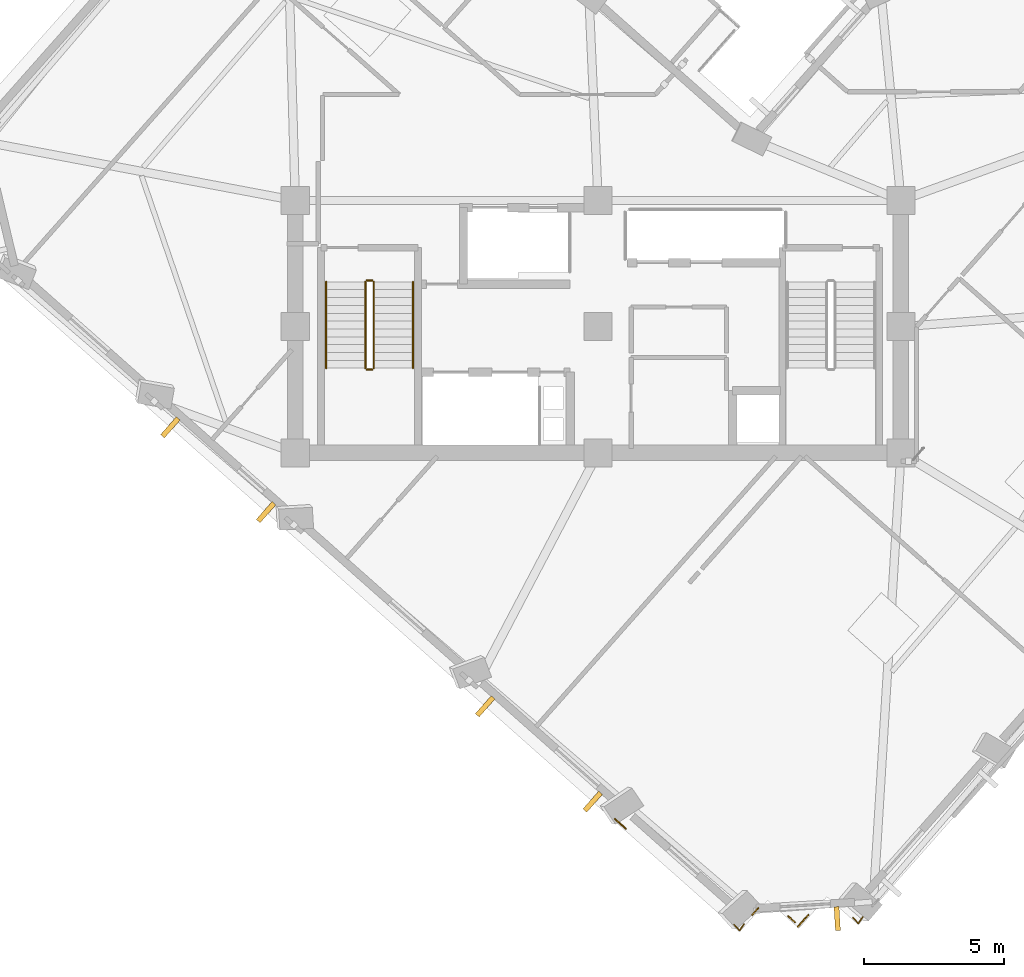
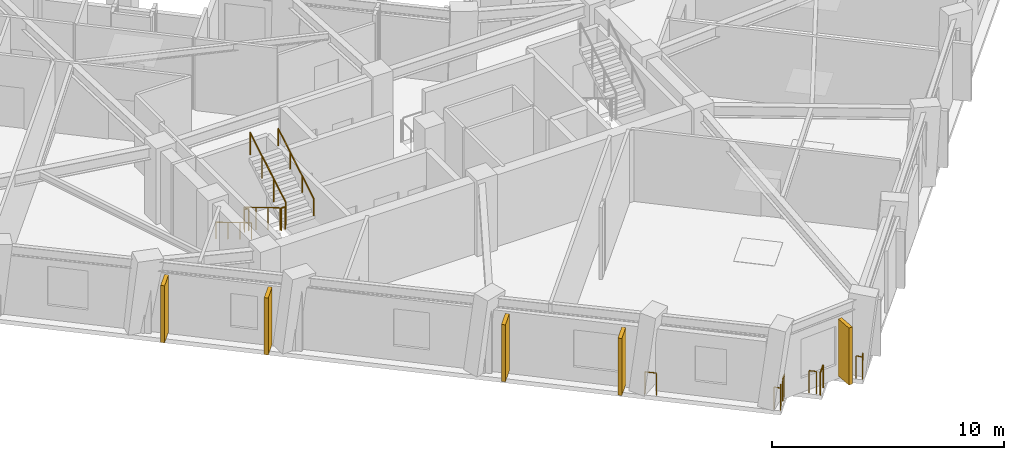
# One storey, part 10 of 13: 12 railings, 5 shading devices.
"""IFC4 building model written with IfcOpenShell, lengths in metres."""

from ifc_helpers import new_model, si_unit, direction, frame, origin, origin_2d, place, context, subcontext, project, spatial, rectangle, circle, extrude, material, layer, layer_set, type_object, element, save


model = new_model("IFC4")

# Units and contexts
model_context = context("Model", 3, precision=1e-05, world=origin(), true_north=direction((0.0, 1.0)))
body_context = subcontext(model_context, "Body", "Model", "MODEL_VIEW")
ifc_project = project(units=[si_unit("LENGTHUNIT", "METRE"), si_unit("AREAUNIT", "SQUARE_METRE"), si_unit("VOLUMEUNIT", "CUBIC_METRE"), si_unit("PLANEANGLEUNIT", "RADIAN"), si_unit("MASSUNIT", "GRAM", prefix="KILO")], contexts=[model_context])

# Site, building, storey
site_placement = place(None, origin())
site = spatial("IfcSite", under=ifc_project, at=site_placement, CompositionType="ELEMENT")
building_placement = place(site_placement, origin())
building = spatial("IfcBuilding", under=site, at=building_placement, Name="Gaonmaruhae Medical Tower", CompositionType="ELEMENT")
storey_placement = place(building_placement, frame((0.0, 0.0, 231.199951171875)))
storey = spatial("IfcBuildingStorey", under=building, at=storey_placement, Name="L55", CompositionType="ELEMENT", Elevation=231.199951171875)

# Railings
ifc_material_1 = material(Name="Stainless steel 316L and laminated safety glass", Category="steel")
ifc_layer = layer(ifc_material_1, 0.080078125)
ifc_layer_set = layer_set([ifc_layer], Name="Stainless steel 316L and laminated safety glass")
railing_type_1 = type_object("IfcRailingType", Name="GD-120 Outdoor Terrace Safety Glass & Steel Balustrade", PredefinedType="BALUSTRADE", material=ifc_layer_set)
railing_1_placement = place(storey_placement, frame((32.2958984375, -8.67919921875, 0.0)))
element("IfcRailing", 1, at=railing_1_placement, inside=storey, type_object=railing_type_1, Name="L55 Perimeter Slab Edge Safety Balustrade 04", PredefinedType="BALUSTRADE", context=body_context, shape_type="SweptSolid", body=[
    extrude(circle(Radius=0.02392578125, at=origin_2d()), frame((0.0, 0.0, 1.17578125), z_axis=(-0.663091084279, -0.748538719071, 0.0), x_axis=(0.748538719071, -0.663091084279, 0.0)), (0.0, 0.0, 1.0), 0.56005859375),
    extrude(circle(Radius=0.02099609375, at=origin_2d()), origin(), (0.0, 0.0, 1.0), 1.15185546875),
    extrude(circle(Radius=0.02099609375, at=origin_2d()), frame((-0.371337890625, -0.419189453125, 0.0)), (0.0, 0.0, 1.0), 1.15185546875),
])
railing_2_placement = place(storey_placement, frame((31.820556640625, -8.939208984375, 0.0)))
element("IfcRailing", 2, at=railing_2_placement, inside=storey, type_object=railing_type_1, Name="L55 Perimeter Slab Edge Safety Balustrade 05", PredefinedType="BALUSTRADE", context=body_context, shape_type="SweptSolid", body=[
    extrude(circle(Radius=0.02392578125, at=origin_2d()), frame((0.0, 0.0, 1.17578125), z_axis=(-0.748439717524, 0.663202826617, 0.0), x_axis=(-0.663202826617, -0.748439717524, 0.0)), (0.0, 0.0, 1.0), 0.326416015625),
    extrude(circle(Radius=0.02099609375, at=origin_2d()), origin(), (0.0, 0.0, 1.0), 1.15185546875),
    extrude(circle(Radius=0.02099609375, at=origin_2d()), frame((-0.244384765625, 0.216552734375, 0.0)), (0.0, 0.0, 1.0), 1.15185546875),
])
railing_3_placement = place(storey_placement, frame((30.510009765625, -8.4326171875, 0.0)))
element("IfcRailing", 3, at=railing_3_placement, inside=storey, type_object=railing_type_1, Name="L55 Perimeter Slab Edge Safety Balustrade 06", PredefinedType="BALUSTRADE", context=body_context, shape_type="SweptSolid", body=[
    extrude(circle(Radius=0.02392578125, at=origin_2d()), frame((0.0, 0.0, 1.17578125), z_axis=(-0.662831822887, -0.748768304997, 0.0), x_axis=(0.748768304997, -0.662831822887, 0.0)), (0.0, 0.0, 1.0), 0.32666015625),
    extrude(circle(Radius=0.02099609375, at=origin_2d()), origin(), (0.0, 0.0, 1.0), 1.15185546875),
    extrude(circle(Radius=0.02099609375, at=origin_2d()), frame((-0.216552734375, -0.24462890625, 0.0)), (0.0, 0.0, 1.0), 1.15185546875),
])
railing_4_placement = place(storey_placement, frame((25.787841796875, -5.596923828125, 0.0)))
element("IfcRailing", 4, at=railing_4_placement, inside=storey, type_object=railing_type_1, Name="L55 Perimeter Slab Edge Safety Balustrade 07", PredefinedType="BALUSTRADE", context=body_context, shape_type="SweptSolid", body=[
    extrude(circle(Radius=0.02392578125, at=origin_2d()), frame((0.0, 0.0, 1.17578125), z_axis=(-0.748394697722, 0.66325362903, 0.0), x_axis=(-0.66325362903, -0.748394697722, 0.0)), (0.0, 0.0, 1.0), 0.51904296875),
    extrude(circle(Radius=0.02099609375, at=origin_2d()), origin(), (0.0, 0.0, 1.0), 1.15185546875),
    extrude(circle(Radius=0.02099609375, at=origin_2d()), frame((-0.388427734375, 0.34423828125, 0.0)), (0.0, 0.0, 1.0), 1.15185546875),
])
railing_5_placement = place(storey_placement, frame((34.2412109375, -8.74609375, 0.0)))
element("IfcRailing", 5, at=railing_5_placement, inside=storey, type_object=railing_type_1, Name="L55 Perimeter Corner Safety Balustrade 10", PredefinedType="BALUSTRADE", context=body_context, shape_type="SweptSolid", body=[
    extrude(circle(Radius=0.02392578125, at=origin_2d()), frame((0.0, 0.0, 1.17578125), z_axis=(-0.567574104345, -0.823322316033, 0.0), x_axis=(0.823322316033, -0.567574104345, 0.0)), (0.0, 0.0, 1.0), 0.287353515625),
    extrude(circle(Radius=0.02392578125, at=origin_2d()), frame((-0.1630859375, -0.236572265625, 1.17578125), z_axis=(-0.661931117086, 0.749564671148, 0.0), x_axis=(-0.749564671148, -0.661931117086, 0.0)), (0.0, 0.0, 1.0), 0.286865234375),
    extrude(circle(Radius=0.02099609375, at=origin_2d()), origin(), (0.0, 0.0, 1.0), 1.15185546875),
    extrude(circle(Radius=0.02099609375, at=origin_2d()), frame((-0.1630859375, -0.236572265625, 0.0)), (0.0, 0.0, 1.0), 1.15185546875),
    extrude(circle(Radius=0.02099609375, at=origin_2d()), frame((-0.35302734375, -0.021484375, 0.0)), (0.0, 0.0, 1.0), 1.15185546875),
])
railing_6_placement = place(storey_placement, frame((30.006103515625, -9.00146484375, 0.0)))
element("IfcRailing", 6, at=railing_6_placement, inside=storey, type_object=railing_type_1, Name="L55 Perimeter Corner Safety Balustrade 11", PredefinedType="BALUSTRADE", context=body_context, shape_type="SweptSolid", body=[
    extrude(circle(Radius=0.02392578125, at=origin_2d()), frame((0.0, 0.0, 1.17578125), z_axis=(-0.566997736131, -0.823719349792, 0.0), x_axis=(0.823719349792, -0.566997736131, 0.0)), (0.0, 0.0, 1.0), 0.287109375),
    extrude(circle(Radius=0.02392578125, at=origin_2d()), frame((-0.162841796875, -0.236572265625, 1.17578125), z_axis=(-0.661986935465, 0.749515374942, 0.0), x_axis=(-0.749515374942, -0.661986935465, 0.0)), (0.0, 0.0, 1.0), 0.287353515625),
    extrude(circle(Radius=0.02099609375, at=origin_2d()), origin(), (0.0, 0.0, 1.0), 1.15185546875),
    extrude(circle(Radius=0.02099609375, at=origin_2d()), frame((-0.162841796875, -0.236572265625, 0.0)), (0.0, 0.0, 1.0), 1.15185546875),
    extrude(circle(Radius=0.02099609375, at=origin_2d()), frame((-0.35302734375, -0.021240234375, 0.0)), (0.0, 0.0, 1.0), 1.15185546875),
])
ifc_material_2 = material(Name="Stainless steel 304 handrail", Category="steel")
railing_type_2 = type_object("IfcRailingType", Name="HR-092 Continuous Stainless Steel Stair Handrail", PredefinedType="HANDRAIL", material=ifc_material_2)
railing_7_placement = place(storey_placement, frame((15.10009765625, 13.89990234375, 0.166748046875)))
element("IfcRailing", 7, at=railing_7_placement, inside=storey, type_object=railing_type_2, Name="L55 ST-01 stair handrail 1", PredefinedType="HANDRAIL", context=body_context, shape_type="SweptSolid", body=[
    extrude(circle(Radius=0.02392578125, at=origin_2d()), frame((0.0, 0.0, 0.8759765625), z_axis=(0.0, -0.859290745958, 0.51148745235), x_axis=(1.0, 0.0, 0.0)), (0.0, 0.0, 1.0), 3.584228515625),
    extrude(circle(Radius=0.02099609375, at=origin_2d()), origin(), (0.0, 0.0, 1.0), 0.851806640625),
    extrude(circle(Radius=0.02099609375, at=origin_2d()), frame((0.0, -1.026611328125, 0.611083984375)), (0.0, 0.0, 1.0), 0.851806640625),
    extrude(circle(Radius=0.02099609375, at=origin_2d()), frame((0.0, -2.05322265625, 1.22216796875)), (0.0, 0.0, 1.0), 0.851806640625),
    extrude(circle(Radius=0.02099609375, at=origin_2d()), frame((0.0, -3.079833984375, 1.833251953125)), (0.0, 0.0, 1.0), 0.851806640625),
])
railing_8_placement = place(storey_placement, frame((18.199951171875, 10.820068359375, 2.166748046875)))
element("IfcRailing", 8, at=railing_8_placement, inside=storey, type_object=railing_type_2, Name="L55 ST-01 stair handrail 2", PredefinedType="HANDRAIL", context=body_context, shape_type="SweptSolid", body=[
    extrude(circle(Radius=0.02392578125, at=origin_2d()), frame((0.0, 0.0, 0.8759765625), z_axis=(0.0, 0.859290745958, 0.51148745235), x_axis=(-1.0, 0.0, 0.0)), (0.0, 0.0, 1.0), 3.584228515625),
    extrude(circle(Radius=0.02099609375, at=origin_2d()), origin(), (0.0, 0.0, 1.0), 0.851806640625),
    extrude(circle(Radius=0.02099609375, at=origin_2d()), frame((0.0, 1.026611328125, 0.611083984375)), (0.0, 0.0, 1.0), 0.851806640625),
    extrude(circle(Radius=0.02099609375, at=origin_2d()), frame((0.0, 2.05322265625, 1.22216796875)), (0.0, 0.0, 1.0), 0.851806640625),
    extrude(circle(Radius=0.02099609375, at=origin_2d()), frame((0.0, 3.079833984375, 1.833251953125)), (0.0, 0.0, 1.0), 0.851806640625),
])

# Shading devices
ifc_material_3 = material(Name="Pigmented coral precast concrete C45/55", Category="concrete")
shading_device_type = type_object("IfcShadingDeviceType", Name="SD-FIN1 Tower Vertical Coral Precast Shading Fin", PredefinedType="USERDEFINED", material=ifc_material_3)
for number, where, z_axis, x_axis, name in (
    (9, (12.958984375, 5.686279296875, 0.08251953125), (0.0, 0.0, 1.0), (-0.748377190605, 0.66327338299, 0.0), "L55 Vertical Coral Precast Shading Fin W02"),
    (10, (9.5458984375, 8.711181640625, 0.08251953125), (0.0, 0.0, 1.0), (-0.748377190605, 0.66327338299, 0.0), "L55 Vertical Coral Precast Shading Fin W02B"),
    (11, (24.60791015625, -4.637939453125, 0.132568359375), (0.0, 0.0, 1.0), (-0.748377190605, 0.66327338299, 0.0), "L55 Vertical Coral Precast Shading Fin W04"),
    (12, (20.7724609375, -1.23876953125, 0.132568359375), (0.0, 0.0, 1.0), (-0.748377190605, 0.66327338299, 0.0), "L55 Vertical Coral Precast Shading Fin W04B"),
    (13, (33.327880859375, -8.808837890625, 0.132568359375), (0.0, 0.0, 1.0), (-0.998187693254, -0.060177479469, 0.0), "L55 Vertical Coral Precast Shading Fin W06"),
):
    element("IfcShadingDevice", number, at=place(storey_placement, frame(where, z_axis=z_axis, x_axis=x_axis)), inside=storey, type_object=shading_device_type, Name=name, ObjectType="FIN", PredefinedType="USERDEFINED", context=body_context, shape_type="SweptSolid", body=[
        extrude(rectangle(XDim=0.179931640625, YDim=0.85009765625, at=origin_2d()), origin(), (0.0, 0.0, 1.0), 3.0),
    ])

# Railings
ifc_material_4 = material(Name="Stainless steel 304 balustrade", Category="steel")
railing_type_3 = type_object("IfcRailingType", Name="SG-112 Stair Well & Ramp Void Safety Balustrade", PredefinedType="BALUSTRADE", material=ifc_material_4)
railing_9_placement = place(storey_placement, frame((16.5, 13.89990234375, 0.166748046875)))
element("IfcRailing", 14, at=railing_9_placement, inside=storey, type_object=railing_type_3, Name="L55 ST-01 stair guard 1", PredefinedType="BALUSTRADE", context=body_context, shape_type="SweptSolid", body=[
    extrude(circle(Radius=0.02392578125, at=origin_2d()), frame((0.0, 0.0, 1.17578125), z_axis=(0.0, -0.859290745958, 0.51148745235), x_axis=(1.0, 0.0, 0.0)), (0.0, 0.0, 1.0), 3.584228515625),
    extrude(circle(Radius=0.02099609375, at=origin_2d()), origin(), (0.0, 0.0, 1.0), 1.15185546875),
    extrude(circle(Radius=0.02099609375, at=origin_2d()), frame((0.0, -1.026611328125, 0.611083984375)), (0.0, 0.0, 1.0), 1.15185546875),
    extrude(circle(Radius=0.02099609375, at=origin_2d()), frame((0.0, -2.05322265625, 1.22216796875)), (0.0, 0.0, 1.0), 1.15185546875),
    extrude(circle(Radius=0.02099609375, at=origin_2d()), frame((0.0, -3.079833984375, 1.833251953125)), (0.0, 0.0, 1.0), 1.15185546875),
])
railing_10_placement = place(storey_placement, frame((16.550048828125, 10.77001953125, 2.0)))
element("IfcRailing", 15, at=railing_10_placement, inside=storey, type_object=railing_type_3, Name="L55 ST-01 stair guard 2", PredefinedType="BALUSTRADE", context=body_context, shape_type="SweptSolid", body=[
    extrude(circle(Radius=0.02392578125, at=origin_2d()), frame((0.0, 0.0, 1.17578125), z_axis=(1.0, 0.0, 0.0), x_axis=(0.0, 1.0, 0.0)), (0.0, 0.0, 1.0), 0.199951171875),
    extrude(circle(Radius=0.02099609375, at=origin_2d()), origin(), (0.0, 0.0, 1.0), 1.15185546875),
    extrude(circle(Radius=0.02099609375, at=origin_2d()), frame((0.199951171875, 0.0, 0.0)), (0.0, 0.0, 1.0), 1.15185546875),
])
railing_11_placement = place(storey_placement, frame((16.800048828125, 10.820068359375, 2.166748046875)))
element("IfcRailing", 16, at=railing_11_placement, inside=storey, type_object=railing_type_3, Name="L55 ST-01 stair guard 3", PredefinedType="BALUSTRADE", context=body_context, shape_type="SweptSolid", body=[
    extrude(circle(Radius=0.02392578125, at=origin_2d()), frame((0.0, 0.0, 1.17578125), z_axis=(0.0, 0.859290745958, 0.51148745235), x_axis=(-1.0, 0.0, 0.0)), (0.0, 0.0, 1.0), 3.584228515625),
    extrude(circle(Radius=0.02099609375, at=origin_2d()), origin(), (0.0, 0.0, 1.0), 1.15185546875),
    extrude(circle(Radius=0.02099609375, at=origin_2d()), frame((0.0, 1.026611328125, 0.611083984375)), (0.0, 0.0, 1.0), 1.15185546875),
    extrude(circle(Radius=0.02099609375, at=origin_2d()), frame((0.0, 2.05322265625, 1.22216796875)), (0.0, 0.0, 1.0), 1.15185546875),
    extrude(circle(Radius=0.02099609375, at=origin_2d()), frame((0.0, 3.079833984375, 1.833251953125)), (0.0, 0.0, 1.0), 1.15185546875),
])
railing_12_placement = place(storey_placement, frame((16.550048828125, 13.949951171875, 0.0)))
element("IfcRailing", 17, at=railing_12_placement, inside=storey, type_object=railing_type_3, Name="L55 ST-01 stair guard 4", PredefinedType="BALUSTRADE", context=body_context, shape_type="SweptSolid", body=[
    extrude(circle(Radius=0.02392578125, at=origin_2d()), frame((0.0, 0.0, 1.17578125), z_axis=(1.0, 0.0, 0.0), x_axis=(0.0, 1.0, 0.0)), (0.0, 0.0, 1.0), 0.199951171875),
    extrude(circle(Radius=0.02099609375, at=origin_2d()), origin(), (0.0, 0.0, 1.0), 1.15185546875),
    extrude(circle(Radius=0.02099609375, at=origin_2d()), frame((0.199951171875, 0.0, 0.0)), (0.0, 0.0, 1.0), 1.15185546875),
])

save(model, "model.ifc")
